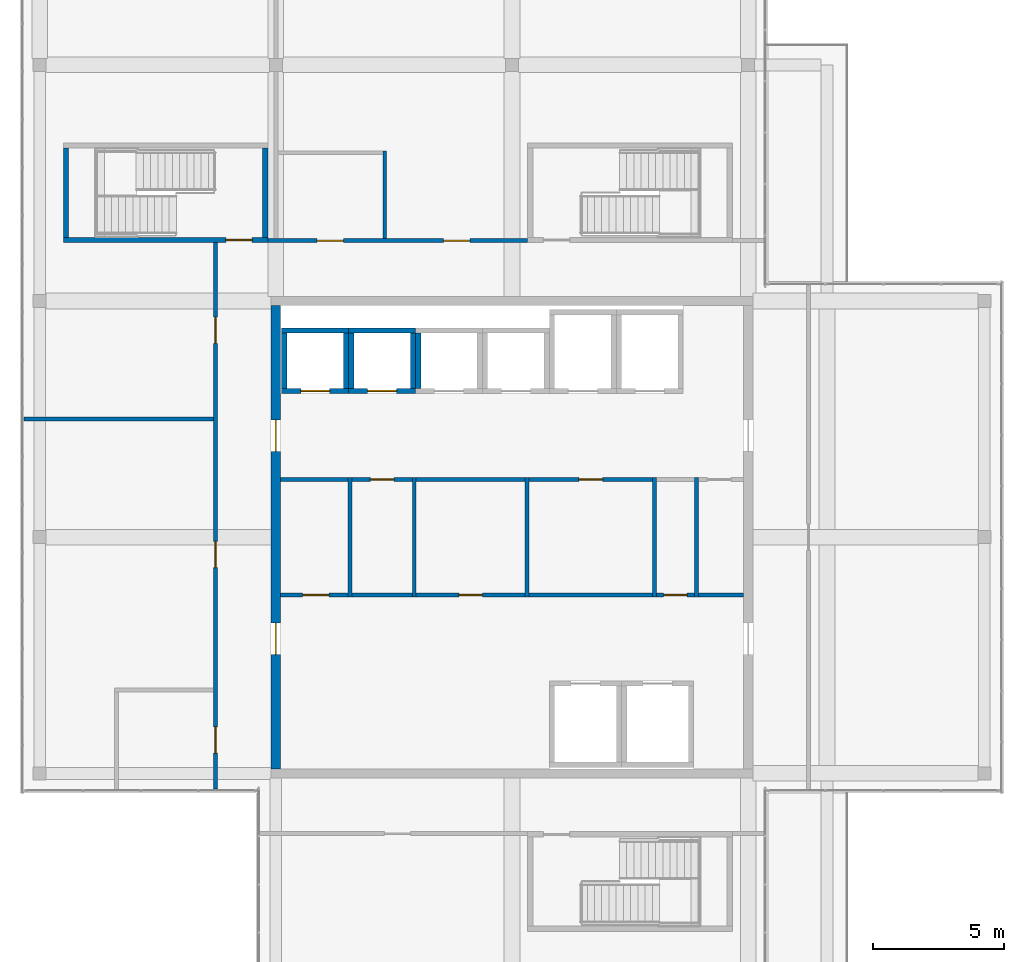
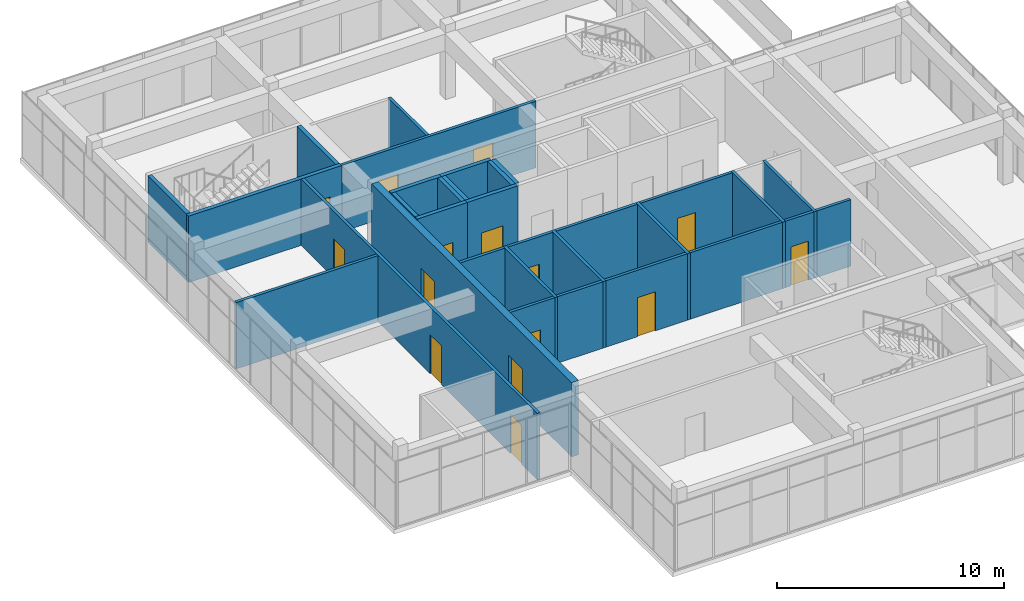
# One storey, part 33 of 36: 32 walls, 15 doors, 15 openings.
"""IFC4 building model written with IfcOpenShell, lengths in metres."""

from ifc_helpers import new_model, si_unit, direction, frame, frame_2d, origin, place, context, subcontext, project, spatial, rectangle, extrude, material, layer, layer_set, type_object, element, fill, save


model = new_model("IFC4")

# Units and contexts
model_context = context("Model", 3, precision=1e-05, world=origin(), true_north=direction((0.0, 1.0)))
body_context = subcontext(model_context, "Body", "Model", "MODEL_VIEW")
ifc_project = project(units=[si_unit("LENGTHUNIT", "METRE"), si_unit("AREAUNIT", "SQUARE_METRE"), si_unit("VOLUMEUNIT", "CUBIC_METRE"), si_unit("PLANEANGLEUNIT", "RADIAN"), si_unit("MASSUNIT", "GRAM", prefix="KILO")], contexts=[model_context])

# Site, building, storey
site_placement = place(None, origin())
site = spatial("IfcSite", under=ifc_project, at=site_placement, CompositionType="ELEMENT")
building_placement = place(site_placement, origin())
building = spatial("IfcBuilding", under=site, at=building_placement, Name="Tuart Plaza Theatre", CompositionType="ELEMENT")
storey_placement = place(building_placement, frame((0.0, 0.0, 61.5)))
storey = spatial("IfcBuildingStorey", under=building, at=storey_placement, Name="L15", CompositionType="ELEMENT", Elevation=61.5)

# Wall
ifc_material_1 = material(Name="Masonry block", Category="masonry")
ifc_layer_1 = layer(ifc_material_1, 0.14990234375)
ifc_layer_set_1 = layer_set([ifc_layer_1], Name="PARTITION BLK150 MASONRYB FRL -/120/120")
wall_type_1 = type_object("IfcWallType", Name="PARTITION BLK150 MASONRYB FRL -/120/120", PredefinedType="PARTITIONING", material=ifc_layer_set_1)
wall_1_placement = place(storey_placement, frame((125.824951171875, 71.72509765625, 0.0), z_axis=(0.0, 0.0, 1.0), x_axis=(0.0, 1.0, 0.0)))
element("IfcWall", 1, at=wall_1_placement, inside=storey, type_object=wall_type_1, Name="P692", PredefinedType="PARTITIONING", context=body_context, shape_type="SweptSolid", body=[
    extrude(rectangle(XDim=4.5498046875, YDim=0.14990234375, at=frame_2d((2.27490234375, 0.0))), origin(), (0.0, 0.0, 1.0), 3.580078125),
])

# Wall, opening, door
wall_2_placement = place(storey_placement, frame((123.175048828125, 71.800048828125, 0.0), z_axis=(0.0, 0.0, 1.0), x_axis=(1.0, 0.0, 0.0)))
wall_2 = element("IfcWall", 2, at=wall_2_placement, inside=storey, type_object=wall_type_1, Name="P693", PredefinedType="PARTITIONING", context=body_context, shape_type="SweptSolid", body=[
    extrude(rectangle(XDim=2.574951171875, YDim=0.14990234375, at=frame_2d((1.28759765625, 0.0))), origin(), (0.0, 0.0, 1.0), 3.580078125),
])
opening_1_placement = place(wall_2_placement, frame((0.85009765625, 0.0, 0.0)))
opening_1 = element("IfcOpeningElement", 3, at=opening_1_placement, cuts=wall_2, Name="Opening L15-016", PredefinedType="OPENING", context=body_context, shape_type="SweptSolid", body=[
    extrude(rectangle(XDim=1.0, YDim=2.10009765625, at=frame_2d((0.5, 1.050048828125))), frame((0.0, 0.0849609375, 0.0), z_axis=(0.0, -1.0, 0.0), x_axis=(1.0, 0.0, 0.0)), (0.0, 0.0, 1.0), 0.169921875),
])
ifc_material_2 = material(Name="Steel Grade 300", Category="steel")
door_type_1 = type_object("IfcDoorType", Name="DOOR 1000x2100 steel single swing FRL -/120/30", OperationType="SINGLE_SWING_LEFT", PredefinedType="DOOR", material=ifc_material_2)
door_1_placement = place(opening_1_placement, origin())
door_1 = element("IfcDoor", 4, at=door_1_placement, inside=storey, type_object=door_type_1, Name="L15-016", OperationType="SINGLE_SWING_LEFT", OverallHeight=2.10009765625, OverallWidth=1.0, PredefinedType="DOOR", context=body_context, shape_type="SweptSolid", body=[
    extrude(rectangle(XDim=1.0, YDim=2.10009765625, at=frame_2d((0.5, 1.050048828125))), frame((0.0, 0.02490234375, 0.0), z_axis=(0.0, -1.0, 0.0), x_axis=(1.0, 0.0, 0.0)), (0.0, 0.0, 1.0), 0.050048828125),
])
fill(opening_1, door_1)

# Walls
wall_3_placement = place(storey_placement, frame((123.175048828125, 76.199951171875, 0.0), z_axis=(0.0, 0.0, 1.0), x_axis=(1.0, 0.0, 0.0)))
element("IfcWall", 5, at=wall_3_placement, inside=storey, type_object=wall_type_1, Name="P694", PredefinedType="PARTITIONING", context=body_context, shape_type="SweptSolid", body=[
    extrude(rectangle(XDim=2.574951171875, YDim=0.14990234375, at=frame_2d((1.28759765625, 0.0))), origin(), (0.0, 0.0, 1.0), 3.580078125),
])
wall_4_placement = place(storey_placement, frame((128.27490234375, 71.72509765625, 0.0), z_axis=(0.0, 0.0, 1.0), x_axis=(0.0, 1.0, 0.0)))
element("IfcWall", 6, at=wall_4_placement, inside=storey, type_object=wall_type_1, Name="P695", PredefinedType="PARTITIONING", context=body_context, shape_type="SweptSolid", body=[
    extrude(rectangle(XDim=4.5498046875, YDim=0.14990234375, at=frame_2d((2.27490234375, 0.0))), origin(), (0.0, 0.0, 1.0), 3.580078125),
])
wall_5_placement = place(storey_placement, frame((125.89990234375, 71.800048828125, 0.0), z_axis=(0.0, 0.0, 1.0), x_axis=(1.0, 0.0, 0.0)))
element("IfcWall", 7, at=wall_5_placement, inside=storey, type_object=wall_type_1, Name="P696", PredefinedType="PARTITIONING", context=body_context, shape_type="SweptSolid", body=[
    extrude(rectangle(XDim=2.300048828125, YDim=0.14990234375, at=frame_2d((1.14990234375, 0.0))), origin(), (0.0, 0.0, 1.0), 3.580078125),
])

# Wall, opening, door
wall_6_placement = place(storey_placement, frame((125.89990234375, 76.199951171875, 0.0), z_axis=(0.0, 0.0, 1.0), x_axis=(1.0, 0.0, 0.0)))
wall_6 = element("IfcWall", 8, at=wall_6_placement, inside=storey, type_object=wall_type_1, Name="P697", PredefinedType="PARTITIONING", context=body_context, shape_type="SweptSolid", body=[
    extrude(rectangle(XDim=2.300048828125, YDim=0.14990234375, at=frame_2d((1.14990234375, 0.0))), origin(), (0.0, 0.0, 1.0), 3.580078125),
])
opening_2_placement = place(wall_6_placement, frame((0.699951171875, 0.0, 0.0)))
opening_2 = element("IfcOpeningElement", 9, at=opening_2_placement, cuts=wall_6, Name="Opening L15-017", PredefinedType="OPENING", context=body_context, shape_type="SweptSolid", body=[
    extrude(rectangle(XDim=0.89990234375, YDim=2.10009765625, at=frame_2d((0.449951171875, 1.050048828125))), frame((0.0, 0.0849609375, 0.0), z_axis=(0.0, -1.0, 0.0), x_axis=(1.0, 0.0, 0.0)), (0.0, 0.0, 1.0), 0.169921875),
])
ifc_material_3 = material(Name="Steel Grade 300", Category="steel")
door_type_2 = type_object("IfcDoorType", Name="DOOR 900x2100 steel single swing FRL -/120/30", OperationType="SINGLE_SWING_LEFT", PredefinedType="DOOR", material=ifc_material_3)
door_2_placement = place(opening_2_placement, frame((0.89990234375, 0.0, 0.0), z_axis=(0.0, 0.0, 1.0), x_axis=(-1.0, 0.0, 0.0)))
door_2 = element("IfcDoor", 10, at=door_2_placement, inside=storey, type_object=door_type_2, Name="L15-017", OperationType="SINGLE_SWING_LEFT", OverallHeight=2.10009765625, OverallWidth=0.89990234375, PredefinedType="DOOR", context=body_context, shape_type="SweptSolid", body=[
    extrude(rectangle(XDim=0.89990234375, YDim=2.10009765625, at=frame_2d((0.449951171875, 1.050048828125))), frame((0.0, 0.02490234375, 0.0), z_axis=(0.0, -1.0, 0.0), x_axis=(1.0, 0.0, 0.0)), (0.0, 0.0, 1.0), 0.050048828125),
])
fill(opening_2, door_2)

# Wall
wall_7_placement = place(storey_placement, frame((132.574951171875, 71.72509765625, 0.0), z_axis=(0.0, 0.0, 1.0), x_axis=(0.0, 1.0, 0.0)))
element("IfcWall", 11, at=wall_7_placement, inside=storey, type_object=wall_type_1, Name="P698", PredefinedType="PARTITIONING", context=body_context, shape_type="SweptSolid", body=[
    extrude(rectangle(XDim=4.5498046875, YDim=0.14990234375, at=frame_2d((2.27490234375, 0.0))), origin(), (0.0, 0.0, 1.0), 3.580078125),
])

# Wall, opening, door
wall_8_placement = place(storey_placement, frame((128.35009765625, 71.800048828125, 0.0), z_axis=(0.0, 0.0, 1.0), x_axis=(1.0, 0.0, 0.0)))
wall_8 = element("IfcWall", 12, at=wall_8_placement, inside=storey, type_object=wall_type_1, Name="P699", PredefinedType="PARTITIONING", context=body_context, shape_type="SweptSolid", body=[
    extrude(rectangle(XDim=4.14990234375, YDim=0.14990234375, at=frame_2d((2.074951171875, 0.0))), origin(), (0.0, 0.0, 1.0), 3.580078125),
])
opening_3_placement = place(wall_8_placement, frame((1.625, 0.0, 0.0)))
opening_3 = element("IfcOpeningElement", 13, at=opening_3_placement, cuts=wall_8, Name="Opening L15-018", PredefinedType="OPENING", context=body_context, shape_type="SweptSolid", body=[
    extrude(rectangle(XDim=0.89990234375, YDim=2.10009765625, at=frame_2d((0.449951171875, 1.050048828125))), frame((0.0, 0.0849609375, 0.0), z_axis=(0.0, -1.0, 0.0), x_axis=(1.0, 0.0, 0.0)), (0.0, 0.0, 1.0), 0.169921875),
])
door_3_placement = place(opening_3_placement, origin())
door_3 = element("IfcDoor", 14, at=door_3_placement, inside=storey, type_object=door_type_2, Name="L15-018", OperationType="SINGLE_SWING_RIGHT", OverallHeight=2.10009765625, OverallWidth=0.89990234375, PredefinedType="DOOR", context=body_context, shape_type="SweptSolid", body=[
    extrude(rectangle(XDim=0.89990234375, YDim=2.10009765625, at=frame_2d((0.449951171875, 1.050048828125))), frame((0.0, 0.02490234375, 0.0), z_axis=(0.0, -1.0, 0.0), x_axis=(1.0, 0.0, 0.0)), (0.0, 0.0, 1.0), 0.050048828125),
])
fill(opening_3, door_3)

# Walls
wall_9_placement = place(storey_placement, frame((128.35009765625, 76.199951171875, 0.0), z_axis=(0.0, 0.0, 1.0), x_axis=(1.0, 0.0, 0.0)))
element("IfcWall", 15, at=wall_9_placement, inside=storey, type_object=wall_type_1, Name="P700", PredefinedType="PARTITIONING", context=body_context, shape_type="SweptSolid", body=[
    extrude(rectangle(XDim=4.14990234375, YDim=0.14990234375, at=frame_2d((2.074951171875, 0.0))), origin(), (0.0, 0.0, 1.0), 3.580078125),
])
wall_10_placement = place(storey_placement, frame((137.425048828125, 71.72509765625, 0.0), z_axis=(0.0, 0.0, 1.0), x_axis=(0.0, 1.0, 0.0)))
element("IfcWall", 16, at=wall_10_placement, inside=storey, type_object=wall_type_1, Name="P701", PredefinedType="PARTITIONING", context=body_context, shape_type="SweptSolid", body=[
    extrude(rectangle(XDim=4.5498046875, YDim=0.14990234375, at=frame_2d((2.27490234375, 0.0))), origin(), (0.0, 0.0, 1.0), 3.580078125),
])
wall_11_placement = place(storey_placement, frame((132.64990234375, 71.800048828125, 0.0), z_axis=(0.0, 0.0, 1.0), x_axis=(1.0, 0.0, 0.0)))
element("IfcWall", 17, at=wall_11_placement, inside=storey, type_object=wall_type_1, Name="P702", PredefinedType="PARTITIONING", context=body_context, shape_type="SweptSolid", body=[
    extrude(rectangle(XDim=4.7001953125, YDim=0.14990234375, at=frame_2d((2.35009765625, 0.0))), origin(), (0.0, 0.0, 1.0), 3.580078125),
])

# Wall, opening, door
wall_12_placement = place(storey_placement, frame((132.64990234375, 76.199951171875, 0.0), z_axis=(0.0, 0.0, 1.0), x_axis=(1.0, 0.0, 0.0)))
wall_12 = element("IfcWall", 18, at=wall_12_placement, inside=storey, type_object=wall_type_1, Name="P703", PredefinedType="PARTITIONING", context=body_context, shape_type="SweptSolid", body=[
    extrude(rectangle(XDim=4.7001953125, YDim=0.14990234375, at=frame_2d((2.35009765625, 0.0))), origin(), (0.0, 0.0, 1.0), 3.580078125),
])
opening_4_placement = place(wall_12_placement, frame((1.89990234375, 0.0, 0.0)))
opening_4 = element("IfcOpeningElement", 19, at=opening_4_placement, cuts=wall_12, Name="Opening L15-019", PredefinedType="OPENING", context=body_context, shape_type="SweptSolid", body=[
    extrude(rectangle(XDim=0.89990234375, YDim=2.10009765625, at=frame_2d((0.449951171875, 1.050048828125))), frame((0.0, 0.0849609375, 0.0), z_axis=(0.0, -1.0, 0.0), x_axis=(1.0, 0.0, 0.0)), (0.0, 0.0, 1.0), 0.169921875),
])
door_4_placement = place(opening_4_placement, frame((0.89990234375, 0.0, 0.0), z_axis=(0.0, 0.0, 1.0), x_axis=(-1.0, 0.0, 0.0)))
door_4 = element("IfcDoor", 20, at=door_4_placement, inside=storey, type_object=door_type_2, Name="L15-019", OperationType="SINGLE_SWING_RIGHT", OverallHeight=2.10009765625, OverallWidth=0.89990234375, PredefinedType="DOOR", context=body_context, shape_type="SweptSolid", body=[
    extrude(rectangle(XDim=0.89990234375, YDim=2.10009765625, at=frame_2d((0.449951171875, 1.050048828125))), frame((0.0, 0.02490234375, 0.0), z_axis=(0.0, -1.0, 0.0), x_axis=(1.0, 0.0, 0.0)), (0.0, 0.0, 1.0), 0.050048828125),
])
fill(opening_4, door_4)

# Wall
wall_13_placement = place(storey_placement, frame((139.02490234375, 71.72509765625, 0.0), z_axis=(0.0, 0.0, 1.0), x_axis=(0.0, 1.0, 0.0)))
element("IfcWall", 21, at=wall_13_placement, inside=storey, type_object=wall_type_1, Name="P704", PredefinedType="PARTITIONING", context=body_context, shape_type="SweptSolid", body=[
    extrude(rectangle(XDim=4.5498046875, YDim=0.14990234375, at=frame_2d((2.27490234375, 0.0))), origin(), (0.0, 0.0, 1.0), 3.580078125),
])

# Wall, opening, door
wall_14_placement = place(storey_placement, frame((137.5, 71.800048828125, 0.0), z_axis=(0.0, 0.0, 1.0), x_axis=(1.0, 0.0, 0.0)))
wall_14 = element("IfcWall", 22, at=wall_14_placement, inside=storey, type_object=wall_type_1, Name="P705", PredefinedType="PARTITIONING", context=body_context, shape_type="SweptSolid", body=[
    extrude(rectangle(XDim=1.449951171875, YDim=0.14990234375, at=frame_2d((0.72509765625, 0.0))), origin(), (0.0, 0.0, 1.0), 3.580078125),
])
opening_5_placement = place(wall_14_placement, frame((0.27490234375, 0.0, 0.0)))
opening_5 = element("IfcOpeningElement", 23, at=opening_5_placement, cuts=wall_14, Name="Opening L15-020", PredefinedType="OPENING", context=body_context, shape_type="SweptSolid", body=[
    extrude(rectangle(XDim=0.89990234375, YDim=2.10009765625, at=frame_2d((0.449951171875, 1.050048828125))), frame((0.0, 0.0849609375, 0.0), z_axis=(0.0, -1.0, 0.0), x_axis=(1.0, 0.0, 0.0)), (0.0, 0.0, 1.0), 0.169921875),
])
door_5_placement = place(opening_5_placement, origin())
door_5 = element("IfcDoor", 24, at=door_5_placement, inside=storey, type_object=door_type_2, Name="L15-020", OperationType="SINGLE_SWING_LEFT", OverallHeight=2.10009765625, OverallWidth=0.89990234375, PredefinedType="DOOR", context=body_context, shape_type="SweptSolid", body=[
    extrude(rectangle(XDim=0.89990234375, YDim=2.10009765625, at=frame_2d((0.449951171875, 1.050048828125))), frame((0.0, 0.02490234375, 0.0), z_axis=(0.0, -1.0, 0.0), x_axis=(1.0, 0.0, 0.0)), (0.0, 0.0, 1.0), 0.050048828125),
])
fill(opening_5, door_5)

# Wall
wall_15_placement = place(storey_placement, frame((139.10009765625, 71.800048828125, 0.0), z_axis=(0.0, 0.0, 1.0), x_axis=(1.0, 0.0, 0.0)))
element("IfcWall", 25, at=wall_15_placement, inside=storey, type_object=wall_type_1, Name="P707", PredefinedType="PARTITIONING", context=body_context, shape_type="SweptSolid", body=[
    extrude(rectangle(XDim=1.724853515625, YDim=0.14990234375, at=frame_2d((0.8623046875, 0.0))), origin(), (0.0, 0.0, 1.0), 3.580078125),
])

# Wall, openings, doors
ifc_material_4 = material(Name="Masonry block", Category="masonry")
ifc_layer_2 = layer(ifc_material_4, 0.14990234375)
ifc_layer_set_2 = layer_set([ifc_layer_2], Name="PARTITION BLK150 MASONRYB FRL 120/-/-")
wall_type_2 = type_object("IfcWallType", Name="PARTITION BLK150 MASONRYB FRL 120/-/-", PredefinedType="PARTITIONING", material=ifc_layer_set_2)
wall_16_placement = place(storey_placement, frame((120.699951171875, 64.39990234375, 0.0), z_axis=(0.0, 0.0, 1.0), x_axis=(0.0, 1.0, 0.0)))
wall_16 = element("IfcWall", 26, at=wall_16_placement, inside=storey, type_object=wall_type_2, Name="P711", PredefinedType="PARTITIONING", context=body_context, shape_type="SweptSolid", body=[
    extrude(rectangle(XDim=20.8251953125, YDim=0.14990234375, at=frame_2d((10.41259765625, 0.0))), origin(), (0.0, 0.0, 1.0), 3.580078125),
])
opening_6_placement = place(wall_16_placement, frame((1.375, 0.0, 0.0)))
opening_6 = element("IfcOpeningElement", 27, at=opening_6_placement, cuts=wall_16, Name="Opening L15-022", PredefinedType="OPENING", context=body_context, shape_type="SweptSolid", body=[
    extrude(rectangle(XDim=1.0, YDim=2.10009765625, at=frame_2d((0.5, 1.050048828125))), frame((0.0, 0.0849609375, 0.0), z_axis=(0.0, -1.0, 0.0), x_axis=(1.0, 0.0, 0.0)), (0.0, 0.0, 1.0), 0.169921875),
])
opening_7_placement = place(wall_16_placement, frame((8.4375, 0.0, 0.0)))
opening_7 = element("IfcOpeningElement", 28, at=opening_7_placement, cuts=wall_16, Name="Opening L15-025", PredefinedType="OPENING", context=body_context, shape_type="SweptSolid", body=[
    extrude(rectangle(XDim=1.0, YDim=2.10009765625, at=frame_2d((0.5, 1.050048828125))), frame((0.0, 0.0849609375, 0.0), z_axis=(0.0, -1.0, 0.0), x_axis=(1.0, 0.0, 0.0)), (0.0, 0.0, 1.0), 0.169921875),
])
opening_8_placement = place(wall_16_placement, frame((16.985107421875, 0.0, 0.0)))
opening_8 = element("IfcOpeningElement", 29, at=opening_8_placement, cuts=wall_16, Name="Opening L15-027", PredefinedType="OPENING", context=body_context, shape_type="SweptSolid", body=[
    extrude(rectangle(XDim=1.0, YDim=2.10009765625, at=frame_2d((0.5, 1.050048828125))), frame((0.0, 0.0849609375, 0.0), z_axis=(0.0, -1.0, 0.0), x_axis=(1.0, 0.0, 0.0)), (0.0, 0.0, 1.0), 0.169921875),
])
ifc_material_5 = material(Name="Timber", Category="wood")
door_type_3 = type_object("IfcDoorType", Name="DOOR 1000x2100 timber single swing FRL -/60/30", OperationType="SINGLE_SWING_LEFT", PredefinedType="DOOR", material=ifc_material_5)
door_6_placement = place(opening_6_placement, origin())
door_6 = element("IfcDoor", 30, at=door_6_placement, inside=storey, type_object=door_type_3, Name="L15-022", OperationType="SINGLE_SWING_LEFT", OverallHeight=2.10009765625, OverallWidth=1.0, PredefinedType="DOOR", context=body_context, shape_type="SweptSolid", body=[
    extrude(rectangle(XDim=1.0, YDim=2.10009765625, at=frame_2d((0.5, 1.050048828125))), frame((0.0, 0.02490234375, 0.0), z_axis=(0.0, -1.0, 0.0), x_axis=(1.0, 0.0, 0.0)), (0.0, 0.0, 1.0), 0.050048828125),
])
fill(opening_6, door_6)
door_7_placement = place(opening_7_placement, origin())
door_7 = element("IfcDoor", 31, at=door_7_placement, inside=storey, type_object=door_type_3, Name="L15-025", OperationType="SINGLE_SWING_RIGHT", OverallHeight=2.10009765625, OverallWidth=1.0, PredefinedType="DOOR", context=body_context, shape_type="SweptSolid", body=[
    extrude(rectangle(XDim=1.0, YDim=2.10009765625, at=frame_2d((0.5, 1.050048828125))), frame((0.0, 0.02490234375, 0.0), z_axis=(0.0, -1.0, 0.0), x_axis=(1.0, 0.0, 0.0)), (0.0, 0.0, 1.0), 0.050048828125),
])
fill(opening_7, door_7)
door_8_placement = place(opening_8_placement, origin())
door_8 = element("IfcDoor", 32, at=door_8_placement, inside=storey, type_object=door_type_3, Name="L15-027", OperationType="SINGLE_SWING_LEFT", OverallHeight=2.10009765625, OverallWidth=1.0, PredefinedType="DOOR", context=body_context, shape_type="SweptSolid", body=[
    extrude(rectangle(XDim=1.0, YDim=2.10009765625, at=frame_2d((0.5, 1.050048828125))), frame((0.0, 0.02490234375, 0.0), z_axis=(0.0, -1.0, 0.0), x_axis=(1.0, 0.0, 0.0)), (0.0, 0.0, 1.0), 0.050048828125),
])
fill(opening_8, door_8)

wall_17_placement = place(storey_placement, frame((122.699951171875, 85.300048828125, 0.0), z_axis=(0.0, 0.0, 1.0), x_axis=(1.0, 0.0, 0.0)))
wall_17 = element("IfcWall", 33, at=wall_17_placement, inside=storey, type_object=wall_type_2, Name="P713", PredefinedType="PARTITIONING", context=body_context, shape_type="SweptSolid", body=[
    extrude(rectangle(XDim=9.900146484375, YDim=0.14990234375, at=frame_2d((4.9501953125, 0.0))), origin(), (0.0, 0.0, 1.0), 3.580078125),
])
opening_9_placement = place(wall_17_placement, frame((1.875, 0.0, 0.0)))
opening_9 = element("IfcOpeningElement", 34, at=opening_9_placement, cuts=wall_17, Name="Opening L15-023", PredefinedType="OPENING", context=body_context, shape_type="SweptSolid", body=[
    extrude(rectangle(XDim=1.0, YDim=2.10009765625, at=frame_2d((0.5, 1.050048828125))), frame((0.0, 0.0849609375, 0.0), z_axis=(0.0, -1.0, 0.0), x_axis=(1.0, 0.0, 0.0)), (0.0, 0.0, 1.0), 0.169921875),
])
opening_10_placement = place(wall_17_placement, frame((6.697509765625, 0.0, 0.0)))
opening_10 = element("IfcOpeningElement", 35, at=opening_10_placement, cuts=wall_17, Name="Opening L15-028", PredefinedType="OPENING", context=body_context, shape_type="SweptSolid", body=[
    extrude(rectangle(XDim=1.0, YDim=2.10009765625, at=frame_2d((0.5, 1.050048828125))), frame((0.0, 0.0849609375, 0.0), z_axis=(0.0, -1.0, 0.0), x_axis=(1.0, 0.0, 0.0)), (0.0, 0.0, 1.0), 0.169921875),
])
door_9_placement = place(opening_9_placement, origin())
door_9 = element("IfcDoor", 36, at=door_9_placement, inside=storey, type_object=door_type_3, Name="L15-023", OperationType="SINGLE_SWING_LEFT", OverallHeight=2.10009765625, OverallWidth=1.0, PredefinedType="DOOR", context=body_context, shape_type="SweptSolid", body=[
    extrude(rectangle(XDim=1.0, YDim=2.10009765625, at=frame_2d((0.5, 1.050048828125))), frame((0.0, 0.02490234375, 0.0), z_axis=(0.0, -1.0, 0.0), x_axis=(1.0, 0.0, 0.0)), (0.0, 0.0, 1.0), 0.050048828125),
])
fill(opening_9, door_9)
door_10_placement = place(opening_10_placement, origin())
door_10 = element("IfcDoor", 37, at=door_10_placement, inside=storey, type_object=door_type_3, Name="L15-028", OperationType="SINGLE_SWING_LEFT", OverallHeight=2.10009765625, OverallWidth=1.0, PredefinedType="DOOR", context=body_context, shape_type="SweptSolid", body=[
    extrude(rectangle(XDim=1.0, YDim=2.10009765625, at=frame_2d((0.5, 1.050048828125))), frame((0.0, 0.02490234375, 0.0), z_axis=(0.0, -1.0, 0.0), x_axis=(1.0, 0.0, 0.0)), (0.0, 0.0, 1.0), 0.050048828125),
])
fill(opening_10, door_10)

# Walls
wall_18_placement = place(storey_placement, frame((113.39990234375, 78.5, 0.0), z_axis=(0.0, 0.0, 1.0), x_axis=(1.0, 0.0, 0.0)))
element("IfcWall", 38, at=wall_18_placement, inside=storey, type_object=wall_type_2, Name="P716", PredefinedType="PARTITIONING", context=body_context, shape_type="SweptSolid", body=[
    extrude(rectangle(XDim=7.22607421875, YDim=0.14990234375, at=frame_2d((3.613037109375, 0.0))), origin(), (0.0, 0.0, 1.0), 3.580078125),
])
wall_19_placement = place(storey_placement, frame((127.14990234375, 85.375, 0.0), z_axis=(0.0, 0.0, 1.0), x_axis=(0.0, 1.0, 0.0)))
element("IfcWall", 39, at=wall_19_placement, inside=storey, type_object=wall_type_2, Name="P720", PredefinedType="PARTITIONING", context=body_context, shape_type="SweptSolid", body=[
    extrude(rectangle(XDim=3.35009765625, YDim=0.14990234375, at=frame_2d((1.675048828125, 0.0))), origin(), (0.0, 0.0, 1.0), 3.580078125),
])

# Wall, opening, door
ifc_material_6 = material(Name="Concrete N40 (40 MPa)", Category="concrete")
ifc_layer_3 = layer(ifc_material_6, 0.199951171875)
ifc_layer_set_3 = layer_set([ifc_layer_3], Name="SHEAR WALL RC200 FRL 120/120/120")
wall_type_3 = type_object("IfcWallType", Name="SHEAR WALL RC200 FRL 120/120/120", PredefinedType="SHEAR", material=ifc_layer_set_3)
wall_20_placement = place(storey_placement, frame((123.22509765625, 79.574951171875, 0.0), z_axis=(0.0, 0.0, 1.0), x_axis=(1.0, 0.0, 0.0)))
wall_20 = element("IfcWall", 40, at=wall_20_placement, inside=storey, type_object=wall_type_3, Name="W786", PredefinedType="SHEAR", context=body_context, shape_type="SweptSolid", body=[
    extrude(rectangle(XDim=2.5498046875, YDim=0.199951171875, at=frame_2d((1.27490234375, 0.0))), origin(), (0.0, 0.0, 1.0), 4.0),
])
opening_11_placement = place(wall_20_placement, frame((0.72509765625, 0.0, 0.0)))
opening_11 = element("IfcOpeningElement", 41, at=opening_11_placement, cuts=wall_20, Name="Opening L15-001", PredefinedType="OPENING", context=body_context, shape_type="SweptSolid", body=[
    extrude(rectangle(XDim=1.10009765625, YDim=2.10009765625, at=frame_2d((0.550048828125, 1.050048828125))), frame((0.0, 0.10986328125, 0.0), z_axis=(0.0, -1.0, 0.0), x_axis=(1.0, 0.0, 0.0)), (0.0, 0.0, 1.0), 0.219970703125),
])
ifc_material_7 = material(Name="Steel Grade 300", Category="steel")
door_type_4 = type_object("IfcDoorType", Name="LANDING DOOR 1100x2100 steel sliding FRL -/120/30", OperationType="SLIDING_TO_LEFT", PredefinedType="DOOR", material=ifc_material_7)
door_11_placement = place(opening_11_placement, origin())
door_11 = element("IfcDoor", 42, at=door_11_placement, inside=storey, type_object=door_type_4, Name="L15-001", OperationType="SLIDING_TO_LEFT", OverallHeight=2.10009765625, OverallWidth=1.10009765625, PredefinedType="DOOR", context=body_context, shape_type="SweptSolid", body=[
    extrude(rectangle(XDim=1.10009765625, YDim=2.10009765625, at=frame_2d((0.550048828125, 1.050048828125))), frame((0.0, 0.02490234375, 0.0), z_axis=(0.0, -1.0, 0.0), x_axis=(1.0, 0.0, 0.0)), (0.0, 0.0, 1.0), 0.050048828125),
])
fill(opening_11, door_11)

# Walls
wall_21_placement = place(storey_placement, frame((125.675048828125, 79.675048828125, 0.0), z_axis=(0.0, 0.0, 1.0), x_axis=(0.0, 1.0, 0.0)))
element("IfcWall", 43, at=wall_21_placement, inside=storey, type_object=wall_type_3, Name="W787", PredefinedType="SHEAR", context=body_context, shape_type="SweptSolid", body=[
    extrude(rectangle(XDim=2.099853515625, YDim=0.199951171875, at=frame_2d((1.0498046875, 0.0))), origin(), (0.0, 0.0, 1.0), 4.0),
])
wall_22_placement = place(storey_placement, frame((125.77490234375, 81.875, 0.0), z_axis=(0.0, 0.0, 1.0), x_axis=(-1.0, 0.0, 0.0)))
element("IfcWall", 44, at=wall_22_placement, inside=storey, type_object=wall_type_3, Name="W788", PredefinedType="SHEAR", context=body_context, shape_type="SweptSolid", body=[
    extrude(rectangle(XDim=2.5498046875, YDim=0.199951171875, at=frame_2d((1.27490234375, 0.0))), origin(), (0.0, 0.0, 1.0), 4.0),
])
wall_23_placement = place(storey_placement, frame((123.324951171875, 81.77490234375, 0.0), z_axis=(0.0, 0.0, 1.0), x_axis=(0.0, -1.0, 0.0)))
element("IfcWall", 45, at=wall_23_placement, inside=storey, type_object=wall_type_3, Name="W789", PredefinedType="SHEAR", context=body_context, shape_type="SweptSolid", body=[
    extrude(rectangle(XDim=2.099853515625, YDim=0.199951171875, at=frame_2d((1.0498046875, 0.0))), origin(), (0.0, 0.0, 1.0), 4.0),
])

# Wall, opening, door
wall_24_placement = place(storey_placement, frame((125.77490234375, 79.574951171875, 0.0), z_axis=(0.0, 0.0, 1.0), x_axis=(1.0, 0.0, 0.0)))
wall_24 = element("IfcWall", 46, at=wall_24_placement, inside=storey, type_object=wall_type_3, Name="W858", PredefinedType="SHEAR", context=body_context, shape_type="SweptSolid", body=[
    extrude(rectangle(XDim=2.550048828125, YDim=0.199951171875, at=frame_2d((1.27490234375, 0.0))), origin(), (0.0, 0.0, 1.0), 4.0),
])
opening_12_placement = place(wall_24_placement, frame((0.72509765625, 0.0, 0.0)))
opening_12 = element("IfcOpeningElement", 47, at=opening_12_placement, cuts=wall_24, Name="Opening L15-002", PredefinedType="OPENING", context=body_context, shape_type="SweptSolid", body=[
    extrude(rectangle(XDim=1.10009765625, YDim=2.10009765625, at=frame_2d((0.550048828125, 1.050048828125))), frame((0.0, 0.10986328125, 0.0), z_axis=(0.0, -1.0, 0.0), x_axis=(1.0, 0.0, 0.0)), (0.0, 0.0, 1.0), 0.219970703125),
])
door_12_placement = place(opening_12_placement, origin())
door_12 = element("IfcDoor", 48, at=door_12_placement, inside=storey, type_object=door_type_4, Name="L15-002", OperationType="SLIDING_TO_LEFT", OverallHeight=2.10009765625, OverallWidth=1.10009765625, PredefinedType="DOOR", context=body_context, shape_type="SweptSolid", body=[
    extrude(rectangle(XDim=1.10009765625, YDim=2.10009765625, at=frame_2d((0.550048828125, 1.050048828125))), frame((0.0, 0.02490234375, 0.0), z_axis=(0.0, -1.0, 0.0), x_axis=(1.0, 0.0, 0.0)), (0.0, 0.0, 1.0), 0.050048828125),
])
fill(opening_12, door_12)

# Walls
wall_25_placement = place(storey_placement, frame((128.22509765625, 79.675048828125, 0.0), z_axis=(0.0, 0.0, 1.0), x_axis=(0.0, 1.0, 0.0)))
element("IfcWall", 49, at=wall_25_placement, inside=storey, type_object=wall_type_3, Name="W859", PredefinedType="SHEAR", context=body_context, shape_type="SweptSolid", body=[
    extrude(rectangle(XDim=2.099853515625, YDim=0.199951171875, at=frame_2d((1.0498046875, 0.0))), origin(), (0.0, 0.0, 1.0), 4.0),
])
wall_26_placement = place(storey_placement, frame((128.324951171875, 81.875, 0.0), z_axis=(0.0, 0.0, 1.0), x_axis=(-1.0, 0.0, 0.0)))
element("IfcWall", 50, at=wall_26_placement, inside=storey, type_object=wall_type_3, Name="W860", PredefinedType="SHEAR", context=body_context, shape_type="SweptSolid", body=[
    extrude(rectangle(XDim=2.550048828125, YDim=0.199951171875, at=frame_2d((1.27490234375, 0.0))), origin(), (0.0, 0.0, 1.0), 4.0),
])
for number, where, z_axis, x_axis, name in (
    (51, (125.875, 81.77490234375, 0.0), (0.0, 0.0, 1.0), (0.0, -1.0, 0.0), "W861"),
    (52, (128.425048828125, 81.77490234375, 0.0), (0.0, 0.0, 1.0), (0.0, -1.0, 0.0), "W933"),
):
    element("IfcWall", number, at=place(storey_placement, frame(where, z_axis=z_axis, x_axis=x_axis)), inside=storey, type_object=wall_type_3, Name=name, PredefinedType="SHEAR", context=body_context, shape_type="SweptSolid", body=[
        extrude(rectangle(XDim=2.099853515625, YDim=0.199951171875, at=frame_2d((1.0498046875, 0.0))), origin(), (0.0, 0.0, 1.0), 4.0),
    ])

# Wall, opening, door
wall_27_placement = place(storey_placement, frame((114.89990234375, 85.324951171875, 0.0), z_axis=(0.0, 0.0, 1.0), x_axis=(1.0, 0.0, 0.0)))
wall_27 = element("IfcWall", 53, at=wall_27_placement, inside=storey, type_object=wall_type_3, Name="P468", PredefinedType="SHEAR", context=body_context, shape_type="SweptSolid", body=[
    extrude(rectangle(XDim=7.800048828125, YDim=0.199951171875, at=frame_2d((3.89990234375, 0.0))), origin(), (0.0, 0.0, 1.0), 3.580078125),
])
opening_13_placement = place(wall_27_placement, frame((6.199951171875, 0.0, 0.0)))
opening_13 = element("IfcOpeningElement", 54, at=opening_13_placement, cuts=wall_27, Name="Opening L15-011", PredefinedType="OPENING", context=body_context, shape_type="SweptSolid", body=[
    extrude(rectangle(XDim=1.0, YDim=2.10009765625, at=frame_2d((0.5, 1.050048828125))), frame((0.0, 0.10986328125, 0.0), z_axis=(0.0, -1.0, 0.0), x_axis=(1.0, 0.0, 0.0)), (0.0, 0.0, 1.0), 0.219970703125),
])
door_13_placement = place(opening_13_placement, origin())
door_13 = element("IfcDoor", 55, at=door_13_placement, inside=storey, type_object=door_type_1, Name="L15-011", OperationType="SINGLE_SWING_LEFT", OverallHeight=2.10009765625, OverallWidth=1.0, PredefinedType="DOOR", context=body_context, shape_type="SweptSolid", body=[
    extrude(rectangle(XDim=1.0, YDim=2.10009765625, at=frame_2d((0.5, 1.050048828125))), frame((0.0, 0.02490234375, 0.0), z_axis=(0.0, -1.0, 0.0), x_axis=(1.0, 0.0, 0.0)), (0.0, 0.0, 1.0), 0.050048828125),
])
fill(opening_13, door_13)

# Walls
for number, where, z_axis, x_axis, name in (
    (56, (122.60009765625, 85.425048828125, 0.0), (0.0, 0.0, 1.0), (0.0, 1.0, 0.0), "P469"),
    (57, (115.0, 88.824951171875, 0.0), (0.0, 0.0, 1.0), (0.0, -1.0, 0.0), "P471"),
):
    element("IfcWall", number, at=place(storey_placement, frame(where, z_axis=z_axis, x_axis=x_axis)), inside=storey, type_object=wall_type_3, Name=name, PredefinedType="SHEAR", context=body_context, shape_type="SweptSolid", body=[
        extrude(rectangle(XDim=3.39990234375, YDim=0.199951171875, at=frame_2d((1.699951171875, 0.0))), origin(), (0.0, 0.0, 1.0), 3.580078125),
    ])

# Wall, openings, doors
ifc_material_8 = material(Name="Concrete N40 (40 MPa)", Category="concrete")
ifc_layer_4 = layer(ifc_material_8, 0.35009765625)
ifc_layer_set_4 = layer_set([ifc_layer_4], Name="SHEAR WALL RC350 FRL 120/120/120")
wall_type_4 = type_object("IfcWallType", Name="SHEAR WALL RC350 FRL 120/120/120", PredefinedType="SHEAR", material=ifc_layer_set_4)
wall_28_placement = place(storey_placement, frame((123.0, 82.824951171875, 0.0), z_axis=(0.0, 0.0, 1.0), x_axis=(0.0, -1.0, 0.0)))
wall_28 = element("IfcWall", 58, at=wall_28_placement, inside=storey, type_object=wall_type_4, Name="W430", PredefinedType="SHEAR", context=body_context, shape_type="SweptSolid", body=[
    extrude(rectangle(XDim=17.64990234375, YDim=0.35009765625, at=frame_2d((8.824951171875, 0.0))), origin(), (0.0, 0.0, 1.0), 4.0),
])
opening_14_placement = place(wall_28_placement, frame((12.10009765625, 0.0, 0.0)))
opening_14 = element("IfcOpeningElement", 59, at=opening_14_placement, cuts=wall_28, Name="Opening L15-012", PredefinedType="OPENING", context=body_context, shape_type="SweptSolid", body=[
    extrude(rectangle(XDim=1.199951171875, YDim=2.10009765625, at=frame_2d((0.60009765625, 1.050048828125))), frame((0.0, 0.18505859375, 0.0), z_axis=(0.0, -1.0, 0.0), x_axis=(1.0, 0.0, 0.0)), (0.0, 0.0, 1.0), 0.3701171875),
])
opening_15_placement = place(wall_28_placement, frame((4.35009765625, 0.0, 0.0)))
opening_15 = element("IfcOpeningElement", 60, at=opening_15_placement, cuts=wall_28, Name="Opening L15-014", PredefinedType="OPENING", context=body_context, shape_type="SweptSolid", body=[
    extrude(rectangle(XDim=1.199951171875, YDim=2.10009765625, at=frame_2d((0.60009765625, 1.050048828125))), frame((0.0, 0.18505859375, 0.0), z_axis=(0.0, -1.0, 0.0), x_axis=(1.0, 0.0, 0.0)), (0.0, 0.0, 1.0), 0.3701171875),
])
ifc_material_9 = material(Name="Steel Grade 300", Category="steel")
door_type_5 = type_object("IfcDoorType", Name="DOOR 1200x2100 steel single swing FRL -/120/30", OperationType="SINGLE_SWING_LEFT", PredefinedType="DOOR", material=ifc_material_9)
door_14_placement = place(opening_14_placement, frame((1.199951171875, 0.0, 0.0), z_axis=(0.0, 0.0, 1.0), x_axis=(-1.0, 0.0, 0.0)))
door_14 = element("IfcDoor", 61, at=door_14_placement, inside=storey, type_object=door_type_5, Name="L15-012", OperationType="SINGLE_SWING_RIGHT", OverallHeight=2.10009765625, OverallWidth=1.199951171875, PredefinedType="DOOR", context=body_context, shape_type="SweptSolid", body=[
    extrude(rectangle(XDim=1.199951171875, YDim=2.10009765625, at=frame_2d((0.60009765625, 1.050048828125))), frame((0.0, 0.02490234375, 0.0), z_axis=(0.0, -1.0, 0.0), x_axis=(1.0, 0.0, 0.0)), (0.0, 0.0, 1.0), 0.050048828125),
])
fill(opening_14, door_14)
door_15_placement = place(opening_15_placement, frame((1.199951171875, 0.0, 0.0), z_axis=(0.0, 0.0, 1.0), x_axis=(-1.0, 0.0, 0.0)))
door_15 = element("IfcDoor", 62, at=door_15_placement, inside=storey, type_object=door_type_5, Name="L15-014", OperationType="SINGLE_SWING_LEFT", OverallHeight=2.10009765625, OverallWidth=1.199951171875, PredefinedType="DOOR", context=body_context, shape_type="SweptSolid", body=[
    extrude(rectangle(XDim=1.199951171875, YDim=2.10009765625, at=frame_2d((0.60009765625, 1.050048828125))), frame((0.0, 0.02490234375, 0.0), z_axis=(0.0, -1.0, 0.0), x_axis=(1.0, 0.0, 0.0)), (0.0, 0.0, 1.0), 0.050048828125),
])
fill(opening_15, door_15)

save(model, "model.ifc")
